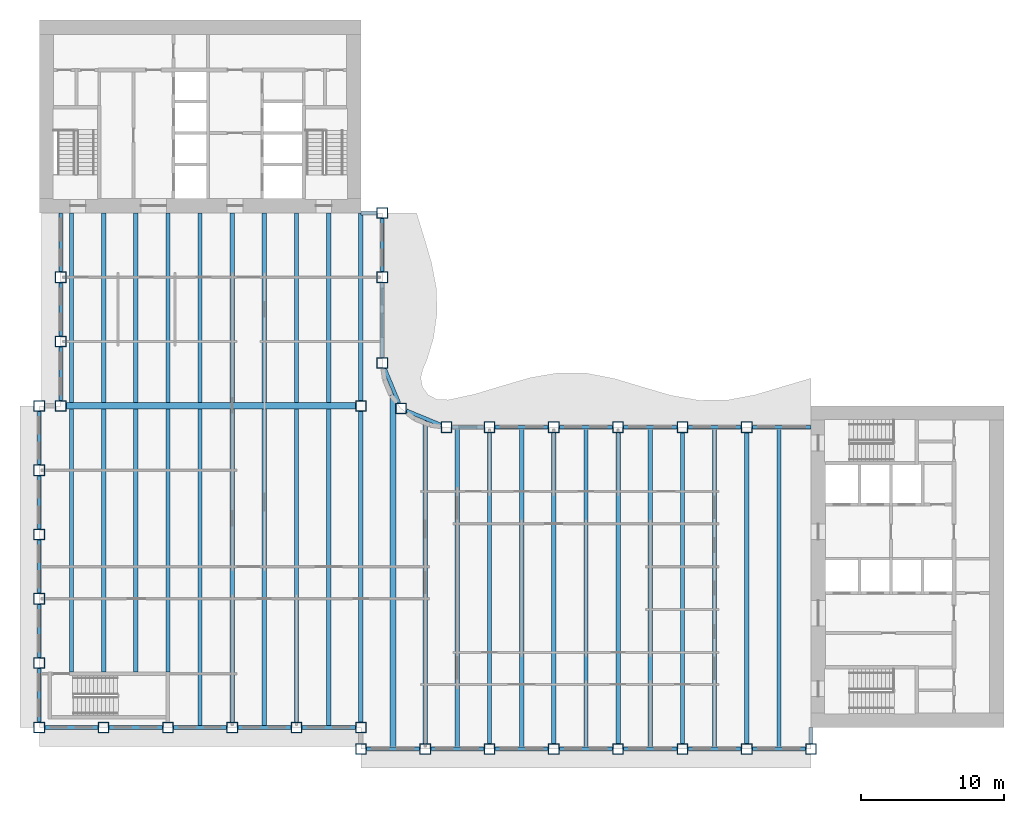
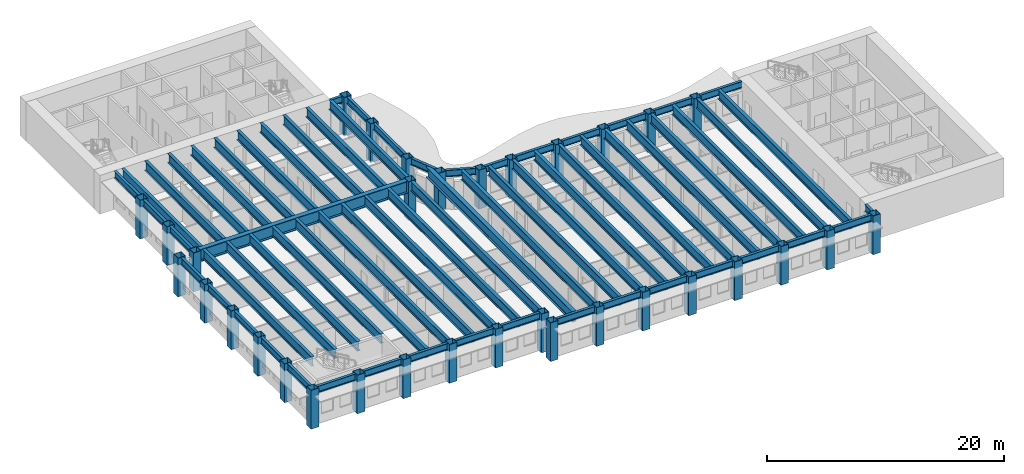
# One storey, part 1 of 16: 66 beams, 33 columns.
"""IFC4 building model written with IfcOpenShell, lengths in metres."""

from ifc_helpers import new_model, si_unit, direction, frame, origin, origin_2d, place, context, subcontext, project, spatial, hollow_rectangle, i_section, extrude, material, material_profile, profile_set, type_object, element, save


model = new_model("IFC4")

# Units and contexts
model_context = context("Model", 3, precision=1e-05, world=origin(), true_north=direction((0.0, 1.0)))
body_context = subcontext(model_context, "Body", "Model", "MODEL_VIEW")
ifc_project = project(units=[si_unit("LENGTHUNIT", "METRE"), si_unit("AREAUNIT", "SQUARE_METRE"), si_unit("VOLUMEUNIT", "CUBIC_METRE"), si_unit("PLANEANGLEUNIT", "RADIAN"), si_unit("MASSUNIT", "GRAM", prefix="KILO")], contexts=[model_context])

# Site, building, storey
site_placement = place(None, origin())
site = spatial("IfcSite", under=ifc_project, at=site_placement, CompositionType="ELEMENT")
building_placement = place(site_placement, origin())
building = spatial("IfcBuilding", under=site, at=building_placement, Name="Sennacour Bend Tower", CompositionType="ELEMENT")
storey_placement = place(building_placement, frame((0.0, 0.0, 227.0)))
storey = spatial("IfcBuildingStorey", under=building, at=storey_placement, Name="L52", CompositionType="ELEMENT", Elevation=227.0)

# Columns
ifc_material_1 = material(Name="Steel ASTM A572 Grade 50", Category="steel")
ifc_material_profile_1 = material_profile(ifc_material_1, hollow_rectangle(XDim=0.75, YDim=0.75, WallThickness=0.035888671875, at=origin_2d()), Name="Steel ASTM A572 Grade 50", Category="steel")
ifc_profile_set_1 = profile_set([ifc_material_profile_1], Name="Steel ASTM A572 Grade 50")
column_type = type_object("IfcColumnType", Name="Box column 750", PredefinedType="COLUMN", material=ifc_profile_set_1)
for number, where, z_axis, x_axis, name in (
    (1, (0.0, 0.0, -0.14990234375), (0.0, 0.0, 1.0), (1.0, 0.0, 0.0), "Perimeter column C4 L52-001"),
    (2, (0.0, 4.5, -0.14990234375), (0.0, 0.0, 1.0), (1.0, 0.0, 0.0), "Perimeter column C4 L52-002"),
    (3, (0.0, 9.0, -0.14990234375), (0.0, 0.0, 1.0), (1.0, 0.0, 0.0), "Perimeter column C4 L52-003"),
    (4, (0.0, 13.5, -0.14990234375), (0.0, 0.0, 1.0), (1.0, 0.0, 0.0), "Perimeter column C4 L52-004"),
    (5, (0.0, 18.0, -0.14990234375), (0.0, 0.0, 1.0), (1.0, 0.0, 0.0), "Perimeter column C4 L52-005"),
    (6, (0.0, 22.5, -0.14990234375), (0.0, 0.0, 1.0), (1.0, 0.0, 0.0), "Perimeter column C4 L52-006"),
    (7, (1.5, 22.5, -0.14990234375), (0.0, 0.0, 1.0), (1.0, 0.0, 0.0), "Perimeter column C4 L52-007"),
    (8, (1.5, 27.0, -0.14990234375), (0.0, 0.0, 1.0), (1.0, 0.0, 0.0), "Perimeter column C4 L52-008"),
    (9, (1.5, 31.5, -0.14990234375), (0.0, 0.0, 1.0), (1.0, 0.0, 0.0), "Perimeter column C4 L52-009"),
    (10, (4.5, 0.0, -0.14990234375), (0.0, 0.0, 1.0), (1.0, 0.0, 0.0), "Perimeter column C4 L52-010"),
    (11, (9.0, 0.0, -0.14990234375), (0.0, 0.0, 1.0), (1.0, 0.0, 0.0), "Perimeter column C4 L52-011"),
    (12, (13.5, 0.0, -0.14990234375), (0.0, 0.0, 1.0), (1.0, 0.0, 0.0), "Perimeter column C4 L52-012"),
    (13, (18.0, 0.0, -0.14990234375), (0.0, 0.0, 1.0), (1.0, 0.0, 0.0), "Perimeter column C4 L52-013"),
    (14, (22.5, -1.5, -0.14990234375), (0.0, 0.0, 1.0), (1.0, 0.0, 0.0), "Perimeter column C4 L52-014"),
    (15, (22.5, 0.0, -0.14990234375), (0.0, 0.0, 1.0), (1.0, 0.0, 0.0), "Perimeter column C4 L52-015"),
    (16, (22.5, 22.5, -0.14990234375), (0.0, 0.0, 1.0), (1.0, 0.0, 0.0), "Knuckle column C4 L52-016"),
    (17, (24.0, 25.5, -0.14990234375), (0.0, 0.0, 1.0), (1.0, 0.0, 0.0), "Perimeter column C4 L52-017"),
    (18, (24.0, 31.5, -0.14990234375), (0.0, 0.0, 1.0), (1.0, 0.0, 0.0), "Perimeter column C4 L52-018"),
    (19, (24.0, 36.0, -0.14990234375), (0.0, 0.0, 1.0), (1.0, 0.0, 0.0), "Perimeter column C4 L52-019"),
    (20, (25.318115234375, 22.318115234375, -0.14990234375), (0.0, 0.0, 1.0), (1.0, 0.0, 0.0), "Perimeter column C4 L52-020"),
    (21, (27.0, -1.5, -0.14990234375), (0.0, 0.0, 1.0), (1.0, 0.0, 0.0), "Perimeter column C4 L52-021"),
    (22, (28.5, 21.0, -0.14990234375), (0.0, 0.0, 1.0), (1.0, 0.0, 0.0), "Perimeter column C4 L52-022"),
    (23, (31.5, -1.5, -0.14990234375), (0.0, 0.0, 1.0), (1.0, 0.0, 0.0), "Perimeter column C4 L52-023"),
    (24, (31.5, 21.0, -0.14990234375), (0.0, 0.0, 1.0), (1.0, 0.0, 0.0), "Perimeter column C4 L52-024"),
    (25, (36.0, -1.5, -0.14990234375), (0.0, 0.0, 1.0), (1.0, 0.0, 0.0), "Perimeter column C4 L52-025"),
    (26, (36.0, 21.0, -0.14990234375), (0.0, 0.0, 1.0), (1.0, 0.0, 0.0), "Perimeter column C4 L52-026"),
    (27, (40.5, -1.5, -0.14990234375), (0.0, 0.0, 1.0), (1.0, 0.0, 0.0), "Perimeter column C4 L52-027"),
    (28, (40.5, 21.0, -0.14990234375), (0.0, 0.0, 1.0), (1.0, 0.0, 0.0), "Perimeter column C4 L52-028"),
    (29, (45.0, -1.5, -0.14990234375), (0.0, 0.0, 1.0), (1.0, 0.0, 0.0), "Perimeter column C4 L52-029"),
    (30, (45.0, 21.0, -0.14990234375), (0.0, 0.0, 1.0), (1.0, 0.0, 0.0), "Perimeter column C4 L52-030"),
    (31, (49.5, -1.5, -0.14990234375), (0.0, 0.0, 1.0), (1.0, 0.0, 0.0), "Perimeter column C4 L52-031"),
    (32, (49.5, 21.0, -0.14990234375), (0.0, 0.0, 1.0), (1.0, 0.0, 0.0), "Perimeter column C4 L52-032"),
    (33, (54.0, -1.5, -0.14990234375), (0.0, 0.0, 1.0), (1.0, 0.0, 0.0), "Perimeter column C4 L52-033"),
):
    element("IfcColumn", number, at=place(storey_placement, frame(where, z_axis=z_axis, x_axis=x_axis)), inside=storey, type_object=column_type, Name=name, PredefinedType="COLUMN", context=body_context, shape_type="SweptSolid", body=[
        extrude(hollow_rectangle(XDim=0.75, YDim=0.75, WallThickness=0.035888671875, at=origin_2d()), origin(), (0.0, 0.0, 1.0), 4.0),
    ])

# Beams
ifc_material_2 = material(Name="Steel ASTM A992 Grade 50", Category="steel")
ifc_material_profile_2 = material_profile(ifc_material_2, i_section(OverallWidth=0.300048828125, OverallDepth=0.97998046875, WebThickness=0.0166015625, FlangeThickness=0.026123046875, FilletRadius=0.02978515625, at=origin_2d()), Name="Steel ASTM A992 Grade 50", Category="steel")
ifc_profile_set_2 = profile_set([ifc_material_profile_2], Name="Steel ASTM A992 Grade 50")
beam_type_1 = type_object("IfcBeamType", Name="Floor beam W1000X249", PredefinedType="BEAM", material=ifc_profile_set_2)
beam_1_placement = place(storey_placement, frame((2.25, 3.875, 3.360107421875), z_axis=(0.0, 1.0, 0.0), x_axis=(-1.0, 0.0, 0.0)))
element("IfcBeam", 34, at=beam_1_placement, inside=storey, type_object=beam_type_1, Name="Floor beam FBM2 L53-001", PredefinedType="BEAM", context=body_context, shape_type="SweptSolid", body=[
    extrude(i_section(OverallWidth=0.300048828125, OverallDepth=0.97998046875, WebThickness=0.0166015625, FlangeThickness=0.026123046875, FilletRadius=0.02978515625, at=origin_2d()), origin(), (0.0, 0.0, 1.0), 18.39990234375),
])
beam_2_placement = place(storey_placement, frame((2.25, 22.72509765625, 3.360107421875), z_axis=(0.0, 1.0, 0.0), x_axis=(-1.0, 0.0, 0.0)))
element("IfcBeam", 35, at=beam_2_placement, inside=storey, type_object=beam_type_1, Name="Floor beam FBM2 L53-002", PredefinedType="BEAM", context=body_context, shape_type="SweptSolid", body=[
    extrude(i_section(OverallWidth=0.300048828125, OverallDepth=0.97998046875, WebThickness=0.0166015625, FlangeThickness=0.026123046875, FilletRadius=0.02978515625, at=origin_2d()), origin(), (0.0, 0.0, 1.0), 13.27490234375),
])
beam_3_placement = place(storey_placement, frame((4.5, 3.875, 3.360107421875), z_axis=(0.0, 1.0, 0.0), x_axis=(-1.0, 0.0, 0.0)))
element("IfcBeam", 36, at=beam_3_placement, inside=storey, type_object=beam_type_1, Name="Floor beam FBM2 L53-003", PredefinedType="BEAM", context=body_context, shape_type="SweptSolid", body=[
    extrude(i_section(OverallWidth=0.300048828125, OverallDepth=0.97998046875, WebThickness=0.0166015625, FlangeThickness=0.026123046875, FilletRadius=0.02978515625, at=origin_2d()), origin(), (0.0, 0.0, 1.0), 18.39990234375),
])
beam_4_placement = place(storey_placement, frame((4.5, 22.72509765625, 3.360107421875), z_axis=(0.0, 1.0, 0.0), x_axis=(-1.0, 0.0, 0.0)))
element("IfcBeam", 37, at=beam_4_placement, inside=storey, type_object=beam_type_1, Name="Floor beam FBM2 L53-004", PredefinedType="BEAM", context=body_context, shape_type="SweptSolid", body=[
    extrude(i_section(OverallWidth=0.300048828125, OverallDepth=0.97998046875, WebThickness=0.0166015625, FlangeThickness=0.026123046875, FilletRadius=0.02978515625, at=origin_2d()), origin(), (0.0, 0.0, 1.0), 13.27490234375),
])
beam_5_placement = place(storey_placement, frame((6.75, 3.875, 3.360107421875), z_axis=(0.0, 1.0, 0.0), x_axis=(-1.0, 0.0, 0.0)))
element("IfcBeam", 38, at=beam_5_placement, inside=storey, type_object=beam_type_1, Name="Floor beam FBM2 L53-005", PredefinedType="BEAM", context=body_context, shape_type="SweptSolid", body=[
    extrude(i_section(OverallWidth=0.300048828125, OverallDepth=0.97998046875, WebThickness=0.0166015625, FlangeThickness=0.026123046875, FilletRadius=0.02978515625, at=origin_2d()), origin(), (0.0, 0.0, 1.0), 18.39990234375),
])
beam_6_placement = place(storey_placement, frame((6.75, 22.72509765625, 3.360107421875), z_axis=(0.0, 1.0, 0.0), x_axis=(-1.0, 0.0, 0.0)))
element("IfcBeam", 39, at=beam_6_placement, inside=storey, type_object=beam_type_1, Name="Floor beam FBM2 L53-006", PredefinedType="BEAM", context=body_context, shape_type="SweptSolid", body=[
    extrude(i_section(OverallWidth=0.300048828125, OverallDepth=0.97998046875, WebThickness=0.0166015625, FlangeThickness=0.026123046875, FilletRadius=0.02978515625, at=origin_2d()), origin(), (0.0, 0.0, 1.0), 13.27490234375),
])
beam_7_placement = place(storey_placement, frame((9.0, 3.875, 3.360107421875), z_axis=(0.0, 1.0, 0.0), x_axis=(-1.0, 0.0, 0.0)))
element("IfcBeam", 40, at=beam_7_placement, inside=storey, type_object=beam_type_1, Name="Floor beam FBM2 L53-007", PredefinedType="BEAM", context=body_context, shape_type="SweptSolid", body=[
    extrude(i_section(OverallWidth=0.300048828125, OverallDepth=0.97998046875, WebThickness=0.0166015625, FlangeThickness=0.026123046875, FilletRadius=0.02978515625, at=origin_2d()), origin(), (0.0, 0.0, 1.0), 18.39990234375),
])
beam_8_placement = place(storey_placement, frame((9.0, 22.72509765625, 3.360107421875), z_axis=(0.0, 1.0, 0.0), x_axis=(-1.0, 0.0, 0.0)))
element("IfcBeam", 41, at=beam_8_placement, inside=storey, type_object=beam_type_1, Name="Floor beam FBM2 L53-008", PredefinedType="BEAM", context=body_context, shape_type="SweptSolid", body=[
    extrude(i_section(OverallWidth=0.300048828125, OverallDepth=0.97998046875, WebThickness=0.0166015625, FlangeThickness=0.026123046875, FilletRadius=0.02978515625, at=origin_2d()), origin(), (0.0, 0.0, 1.0), 13.27490234375),
])
beam_9_placement = place(storey_placement, frame((11.25, 0.12841796875, 3.360107421875), z_axis=(0.0, 1.0, 0.0), x_axis=(-1.0, 0.0, 0.0)))
element("IfcBeam", 42, at=beam_9_placement, inside=storey, type_object=beam_type_1, Name="Floor beam FBM2 L53-009", PredefinedType="BEAM", context=body_context, shape_type="SweptSolid", body=[
    extrude(i_section(OverallWidth=0.300048828125, OverallDepth=0.97998046875, WebThickness=0.0166015625, FlangeThickness=0.026123046875, FilletRadius=0.02978515625, at=origin_2d()), origin(), (0.0, 0.0, 1.0), 22.146484375),
])
beam_10_placement = place(storey_placement, frame((11.25, 22.72509765625, 3.360107421875), z_axis=(0.0, 1.0, 0.0), x_axis=(-1.0, 0.0, 0.0)))
element("IfcBeam", 43, at=beam_10_placement, inside=storey, type_object=beam_type_1, Name="Floor beam FBM2 L53-010", PredefinedType="BEAM", context=body_context, shape_type="SweptSolid", body=[
    extrude(i_section(OverallWidth=0.300048828125, OverallDepth=0.97998046875, WebThickness=0.0166015625, FlangeThickness=0.026123046875, FilletRadius=0.02978515625, at=origin_2d()), origin(), (0.0, 0.0, 1.0), 13.27490234375),
])
beam_11_placement = place(storey_placement, frame((13.5, 0.375, 3.360107421875), z_axis=(0.0, 1.0, 0.0), x_axis=(-1.0, 0.0, 0.0)))
element("IfcBeam", 44, at=beam_11_placement, inside=storey, type_object=beam_type_1, Name="Floor beam FBM2 L53-011", PredefinedType="BEAM", context=body_context, shape_type="SweptSolid", body=[
    extrude(i_section(OverallWidth=0.300048828125, OverallDepth=0.97998046875, WebThickness=0.0166015625, FlangeThickness=0.026123046875, FilletRadius=0.02978515625, at=origin_2d()), origin(), (0.0, 0.0, 1.0), 21.89990234375),
])
beam_12_placement = place(storey_placement, frame((13.5, 22.72509765625, 3.360107421875), z_axis=(0.0, 1.0, 0.0), x_axis=(-1.0, 0.0, 0.0)))
element("IfcBeam", 45, at=beam_12_placement, inside=storey, type_object=beam_type_1, Name="Floor beam FBM2 L53-012", PredefinedType="BEAM", context=body_context, shape_type="SweptSolid", body=[
    extrude(i_section(OverallWidth=0.300048828125, OverallDepth=0.97998046875, WebThickness=0.0166015625, FlangeThickness=0.026123046875, FilletRadius=0.02978515625, at=origin_2d()), origin(), (0.0, 0.0, 1.0), 13.27490234375),
])
beam_13_placement = place(storey_placement, frame((15.75, 0.12841796875, 3.360107421875), z_axis=(0.0, 1.0, 0.0), x_axis=(-1.0, 0.0, 0.0)))
element("IfcBeam", 46, at=beam_13_placement, inside=storey, type_object=beam_type_1, Name="Floor beam FBM2 L53-013", PredefinedType="BEAM", context=body_context, shape_type="SweptSolid", body=[
    extrude(i_section(OverallWidth=0.300048828125, OverallDepth=0.97998046875, WebThickness=0.0166015625, FlangeThickness=0.026123046875, FilletRadius=0.02978515625, at=origin_2d()), origin(), (0.0, 0.0, 1.0), 22.146484375),
])
beam_14_placement = place(storey_placement, frame((15.75, 22.72509765625, 3.360107421875), z_axis=(0.0, 1.0, 0.0), x_axis=(-1.0, 0.0, 0.0)))
element("IfcBeam", 47, at=beam_14_placement, inside=storey, type_object=beam_type_1, Name="Floor beam FBM2 L53-014", PredefinedType="BEAM", context=body_context, shape_type="SweptSolid", body=[
    extrude(i_section(OverallWidth=0.300048828125, OverallDepth=0.97998046875, WebThickness=0.0166015625, FlangeThickness=0.026123046875, FilletRadius=0.02978515625, at=origin_2d()), origin(), (0.0, 0.0, 1.0), 13.27490234375),
])
beam_15_placement = place(storey_placement, frame((18.0, 0.375, 3.360107421875), z_axis=(0.0, 1.0, 0.0), x_axis=(-1.0, 0.0, 0.0)))
element("IfcBeam", 48, at=beam_15_placement, inside=storey, type_object=beam_type_1, Name="Floor beam FBM2 L53-015", PredefinedType="BEAM", context=body_context, shape_type="SweptSolid", body=[
    extrude(i_section(OverallWidth=0.300048828125, OverallDepth=0.97998046875, WebThickness=0.0166015625, FlangeThickness=0.026123046875, FilletRadius=0.02978515625, at=origin_2d()), origin(), (0.0, 0.0, 1.0), 21.89990234375),
])
beam_16_placement = place(storey_placement, frame((18.0, 22.72509765625, 3.360107421875), z_axis=(0.0, 1.0, 0.0), x_axis=(-1.0, 0.0, 0.0)))
element("IfcBeam", 49, at=beam_16_placement, inside=storey, type_object=beam_type_1, Name="Floor beam FBM2 L53-016", PredefinedType="BEAM", context=body_context, shape_type="SweptSolid", body=[
    extrude(i_section(OverallWidth=0.300048828125, OverallDepth=0.97998046875, WebThickness=0.0166015625, FlangeThickness=0.026123046875, FilletRadius=0.02978515625, at=origin_2d()), origin(), (0.0, 0.0, 1.0), 13.27490234375),
])
beam_17_placement = place(storey_placement, frame((20.25, 0.12841796875, 3.360107421875), z_axis=(0.0, 1.0, 0.0), x_axis=(-1.0, 0.0, 0.0)))
element("IfcBeam", 50, at=beam_17_placement, inside=storey, type_object=beam_type_1, Name="Floor beam FBM2 L53-017", PredefinedType="BEAM", context=body_context, shape_type="SweptSolid", body=[
    extrude(i_section(OverallWidth=0.300048828125, OverallDepth=0.97998046875, WebThickness=0.0166015625, FlangeThickness=0.026123046875, FilletRadius=0.02978515625, at=origin_2d()), origin(), (0.0, 0.0, 1.0), 22.146484375),
])
beam_18_placement = place(storey_placement, frame((20.25, 22.72509765625, 3.360107421875), z_axis=(0.0, 1.0, 0.0), x_axis=(-1.0, 0.0, 0.0)))
element("IfcBeam", 51, at=beam_18_placement, inside=storey, type_object=beam_type_1, Name="Floor beam FBM2 L53-018", PredefinedType="BEAM", context=body_context, shape_type="SweptSolid", body=[
    extrude(i_section(OverallWidth=0.300048828125, OverallDepth=0.97998046875, WebThickness=0.0166015625, FlangeThickness=0.026123046875, FilletRadius=0.02978515625, at=origin_2d()), origin(), (0.0, 0.0, 1.0), 13.27490234375),
])
beam_19_placement = place(storey_placement, frame((22.5, 0.375, 3.360107421875), z_axis=(0.0, 1.0, 0.0), x_axis=(-1.0, 0.0, 0.0)))
element("IfcBeam", 52, at=beam_19_placement, inside=storey, type_object=beam_type_1, Name="Floor beam FBM2 L53-019", PredefinedType="BEAM", context=body_context, shape_type="SweptSolid", body=[
    extrude(i_section(OverallWidth=0.300048828125, OverallDepth=0.97998046875, WebThickness=0.0166015625, FlangeThickness=0.026123046875, FilletRadius=0.02978515625, at=origin_2d()), origin(), (0.0, 0.0, 1.0), 21.75),
])
beam_20_placement = place(storey_placement, frame((22.5, 22.875, 3.360107421875), z_axis=(0.0, 1.0, 0.0), x_axis=(-1.0, 0.0, 0.0)))
element("IfcBeam", 53, at=beam_20_placement, inside=storey, type_object=beam_type_1, Name="Floor beam FBM2 L53-020", PredefinedType="BEAM", context=body_context, shape_type="SweptSolid", body=[
    extrude(i_section(OverallWidth=0.300048828125, OverallDepth=0.97998046875, WebThickness=0.0166015625, FlangeThickness=0.026123046875, FilletRadius=0.02978515625, at=origin_2d()), origin(), (0.0, 0.0, 1.0), 13.125),
])
beam_21_placement = place(storey_placement, frame((27.0, -1.125, 3.360107421875), z_axis=(0.0, 1.0, 0.0), x_axis=(-1.0, 0.0, 0.0)))
element("IfcBeam", 54, at=beam_21_placement, inside=storey, type_object=beam_type_1, Name="Floor beam FBM2 L53-022", PredefinedType="BEAM", context=body_context, shape_type="SweptSolid", body=[
    extrude(i_section(OverallWidth=0.300048828125, OverallDepth=0.97998046875, WebThickness=0.0166015625, FlangeThickness=0.026123046875, FilletRadius=0.02978515625, at=origin_2d()), origin(), (0.0, 0.0, 1.0), 22.607177734375),
])
beam_22_placement = place(storey_placement, frame((29.25, -1.37158203125, 3.360107421875), z_axis=(0.0, 1.0, 0.0), x_axis=(-1.0, 0.0, 0.0)))
element("IfcBeam", 55, at=beam_22_placement, inside=storey, type_object=beam_type_1, Name="Floor beam FBM2 L53-023", PredefinedType="BEAM", context=body_context, shape_type="SweptSolid", body=[
    extrude(i_section(OverallWidth=0.300048828125, OverallDepth=0.97998046875, WebThickness=0.0166015625, FlangeThickness=0.026123046875, FilletRadius=0.02978515625, at=origin_2d()), origin(), (0.0, 0.0, 1.0), 22.2431640625),
])
beam_23_placement = place(storey_placement, frame((31.5, -1.125, 3.360107421875), z_axis=(0.0, 1.0, 0.0), x_axis=(-1.0, 0.0, 0.0)))
element("IfcBeam", 56, at=beam_23_placement, inside=storey, type_object=beam_type_1, Name="Floor beam FBM2 L53-024", PredefinedType="BEAM", context=body_context, shape_type="SweptSolid", body=[
    extrude(i_section(OverallWidth=0.300048828125, OverallDepth=0.97998046875, WebThickness=0.0166015625, FlangeThickness=0.026123046875, FilletRadius=0.02978515625, at=origin_2d()), origin(), (0.0, 0.0, 1.0), 21.75),
])
beam_24_placement = place(storey_placement, frame((33.75, -1.37158203125, 3.360107421875), z_axis=(0.0, 1.0, 0.0), x_axis=(-1.0, 0.0, 0.0)))
element("IfcBeam", 57, at=beam_24_placement, inside=storey, type_object=beam_type_1, Name="Floor beam FBM2 L53-025", PredefinedType="BEAM", context=body_context, shape_type="SweptSolid", body=[
    extrude(i_section(OverallWidth=0.300048828125, OverallDepth=0.97998046875, WebThickness=0.0166015625, FlangeThickness=0.026123046875, FilletRadius=0.02978515625, at=origin_2d()), origin(), (0.0, 0.0, 1.0), 22.2431640625),
])
beam_25_placement = place(storey_placement, frame((36.0, -1.125, 3.360107421875), z_axis=(0.0, 1.0, 0.0), x_axis=(-1.0, 0.0, 0.0)))
element("IfcBeam", 58, at=beam_25_placement, inside=storey, type_object=beam_type_1, Name="Floor beam FBM2 L53-026", PredefinedType="BEAM", context=body_context, shape_type="SweptSolid", body=[
    extrude(i_section(OverallWidth=0.300048828125, OverallDepth=0.97998046875, WebThickness=0.0166015625, FlangeThickness=0.026123046875, FilletRadius=0.02978515625, at=origin_2d()), origin(), (0.0, 0.0, 1.0), 21.75),
])
beam_26_placement = place(storey_placement, frame((38.25, -1.37158203125, 3.360107421875), z_axis=(0.0, 1.0, 0.0), x_axis=(-1.0, 0.0, 0.0)))
element("IfcBeam", 59, at=beam_26_placement, inside=storey, type_object=beam_type_1, Name="Floor beam FBM2 L53-027", PredefinedType="BEAM", context=body_context, shape_type="SweptSolid", body=[
    extrude(i_section(OverallWidth=0.300048828125, OverallDepth=0.97998046875, WebThickness=0.0166015625, FlangeThickness=0.026123046875, FilletRadius=0.02978515625, at=origin_2d()), origin(), (0.0, 0.0, 1.0), 22.2431640625),
])
beam_27_placement = place(storey_placement, frame((40.5, -1.125, 3.360107421875), z_axis=(0.0, 1.0, 0.0), x_axis=(-1.0, 0.0, 0.0)))
element("IfcBeam", 60, at=beam_27_placement, inside=storey, type_object=beam_type_1, Name="Floor beam FBM2 L53-028", PredefinedType="BEAM", context=body_context, shape_type="SweptSolid", body=[
    extrude(i_section(OverallWidth=0.300048828125, OverallDepth=0.97998046875, WebThickness=0.0166015625, FlangeThickness=0.026123046875, FilletRadius=0.02978515625, at=origin_2d()), origin(), (0.0, 0.0, 1.0), 21.75),
])
beam_28_placement = place(storey_placement, frame((42.75, -1.37158203125, 3.360107421875), z_axis=(0.0, 1.0, 0.0), x_axis=(-1.0, 0.0, 0.0)))
element("IfcBeam", 61, at=beam_28_placement, inside=storey, type_object=beam_type_1, Name="Floor beam FBM2 L53-029", PredefinedType="BEAM", context=body_context, shape_type="SweptSolid", body=[
    extrude(i_section(OverallWidth=0.300048828125, OverallDepth=0.97998046875, WebThickness=0.0166015625, FlangeThickness=0.026123046875, FilletRadius=0.02978515625, at=origin_2d()), origin(), (0.0, 0.0, 1.0), 22.2431640625),
])
beam_29_placement = place(storey_placement, frame((45.0, -1.125, 3.360107421875), z_axis=(0.0, 1.0, 0.0), x_axis=(-1.0, 0.0, 0.0)))
element("IfcBeam", 62, at=beam_29_placement, inside=storey, type_object=beam_type_1, Name="Floor beam FBM2 L53-030", PredefinedType="BEAM", context=body_context, shape_type="SweptSolid", body=[
    extrude(i_section(OverallWidth=0.300048828125, OverallDepth=0.97998046875, WebThickness=0.0166015625, FlangeThickness=0.026123046875, FilletRadius=0.02978515625, at=origin_2d()), origin(), (0.0, 0.0, 1.0), 21.75),
])
beam_30_placement = place(storey_placement, frame((47.25, -1.37158203125, 3.360107421875), z_axis=(0.0, 1.0, 0.0), x_axis=(-1.0, 0.0, 0.0)))
element("IfcBeam", 63, at=beam_30_placement, inside=storey, type_object=beam_type_1, Name="Floor beam FBM2 L53-031", PredefinedType="BEAM", context=body_context, shape_type="SweptSolid", body=[
    extrude(i_section(OverallWidth=0.300048828125, OverallDepth=0.97998046875, WebThickness=0.0166015625, FlangeThickness=0.026123046875, FilletRadius=0.02978515625, at=origin_2d()), origin(), (0.0, 0.0, 1.0), 22.2431640625),
])
beam_31_placement = place(storey_placement, frame((49.5, -1.125, 3.360107421875), z_axis=(0.0, 1.0, 0.0), x_axis=(-1.0, 0.0, 0.0)))
element("IfcBeam", 64, at=beam_31_placement, inside=storey, type_object=beam_type_1, Name="Floor beam FBM2 L53-032", PredefinedType="BEAM", context=body_context, shape_type="SweptSolid", body=[
    extrude(i_section(OverallWidth=0.300048828125, OverallDepth=0.97998046875, WebThickness=0.0166015625, FlangeThickness=0.026123046875, FilletRadius=0.02978515625, at=origin_2d()), origin(), (0.0, 0.0, 1.0), 21.75),
])
beam_32_placement = place(storey_placement, frame((51.75, -1.37158203125, 3.360107421875), z_axis=(0.0, 1.0, 0.0), x_axis=(-1.0, 0.0, 0.0)))
element("IfcBeam", 65, at=beam_32_placement, inside=storey, type_object=beam_type_1, Name="Floor beam FBM2 L53-033", PredefinedType="BEAM", context=body_context, shape_type="SweptSolid", body=[
    extrude(i_section(OverallWidth=0.300048828125, OverallDepth=0.97998046875, WebThickness=0.0166015625, FlangeThickness=0.026123046875, FilletRadius=0.02978515625, at=origin_2d()), origin(), (0.0, 0.0, 1.0), 22.2431640625),
])
ifc_material_profile_3 = material_profile(ifc_material_1, i_section(OverallWidth=0.449951171875, OverallDepth=1.25, WebThickness=0.028076171875, FlangeThickness=0.050048828125, at=origin_2d()), Name="Steel ASTM A572 Grade 50", Category="steel")
ifc_profile_set_3 = profile_set([ifc_material_profile_3], Name="Steel ASTM A572 Grade 50")
beam_type_2 = type_object("IfcBeamType", Name="Knuckle girder 1250", PredefinedType="USERDEFINED", material=ifc_profile_set_3)
beam_33_placement = place(storey_placement, frame((1.875, 22.5, 3.22509765625), z_axis=(1.0, 0.0, 0.0), x_axis=(0.0, 1.0, 0.0)))
element("IfcBeam", 66, at=beam_33_placement, inside=storey, type_object=beam_type_2, Name="Knuckle girder GK L53-001", ObjectType="KNUCKLE GIRDER", PredefinedType="USERDEFINED", context=body_context, shape_type="SweptSolid", body=[
    extrude(i_section(OverallWidth=0.449951171875, OverallDepth=1.25, WebThickness=0.028076171875, FlangeThickness=0.050048828125, at=origin_2d()), origin(), (0.0, 0.0, 1.0), 20.25),
])
ifc_material_profile_4 = material_profile(ifc_material_2, i_section(OverallWidth=0.40087890625, OverallDepth=1.090087890625, WebThickness=0.01806640625, FlangeThickness=0.031005859375, FilletRadius=0.02001953125, at=origin_2d()), Name="Steel ASTM A992 Grade 50", Category="steel")
ifc_profile_set_4 = profile_set([ifc_material_profile_4], Name="Steel ASTM A992 Grade 50")
beam_type_3 = type_object("IfcBeamType", Name="Notch floor beam W1100X343", PredefinedType="BEAM", material=ifc_profile_set_4)
beam_34_placement = place(storey_placement, frame((24.75, -1.37158203125, 3.304931640625), z_axis=(0.0, 1.0, 0.0), x_axis=(-1.0, 0.0, 0.0)))
element("IfcBeam", 67, at=beam_34_placement, inside=storey, type_object=beam_type_3, Name="Floor beam FBM4 L53-021", PredefinedType="BEAM", context=body_context, shape_type="SweptSolid", body=[
    extrude(i_section(OverallWidth=0.40087890625, OverallDepth=1.090087890625, WebThickness=0.01806640625, FlangeThickness=0.031005859375, FilletRadius=0.02001953125, at=origin_2d()), origin(), (0.0, 0.0, 1.0), 24.72509765625),
])
ifc_material_profile_5 = material_profile(ifc_material_2, i_section(OverallWidth=0.257080078125, OverallDepth=0.693115234375, WebThickness=0.014404296875, FlangeThickness=0.023681640625, FilletRadius=0.015380859375, at=origin_2d()), Name="Steel ASTM A992 Grade 50", Category="steel")
ifc_profile_set_5 = profile_set([ifc_material_profile_5], Name="Steel ASTM A992 Grade 50")
beam_type_4 = type_object("IfcBeamType", Name="Spandrel beam W690X170", PredefinedType="SPANDREL", material=ifc_profile_set_5)
for number, where, z_axis, x_axis, name in (
    (68, (22.125, 0.0, 3.50341796875), (-1.0, 0.0, 0.0), (0.0, -1.0, 0.0), "Spandrel beam SP5 L53-001"),
    (69, (17.625, 0.0, 3.50341796875), (-1.0, 0.0, 0.0), (0.0, -1.0, 0.0), "Spandrel beam SP5 L53-002"),
    (70, (13.125, 0.0, 3.50341796875), (-1.0, 0.0, 0.0), (0.0, -1.0, 0.0), "Spandrel beam SP5 L53-003"),
    (71, (8.625, 0.0, 3.50341796875), (-1.0, 0.0, 0.0), (0.0, -1.0, 0.0), "Spandrel beam SP5 L53-004"),
    (72, (4.125, 0.0, 3.50341796875), (-1.0, 0.0, 0.0), (0.0, -1.0, 0.0), "Spandrel beam SP5 L53-005"),
    (73, (0.0, 0.375, 3.50341796875), (0.0, 1.0, 0.0), (-1.0, 0.0, 0.0), "Spandrel beam SP5 L53-006"),
    (74, (0.0, 4.875, 3.50341796875), (0.0, 1.0, 0.0), (-1.0, 0.0, 0.0), "Spandrel beam SP5 L53-007"),
    (75, (0.0, 9.375, 3.50341796875), (0.0, 1.0, 0.0), (-1.0, 0.0, 0.0), "Spandrel beam SP5 L53-008"),
    (76, (0.0, 13.875, 3.50341796875), (0.0, 1.0, 0.0), (-1.0, 0.0, 0.0), "Spandrel beam SP5 L53-009"),
    (77, (0.0, 18.375, 3.50341796875), (0.0, 1.0, 0.0), (-1.0, 0.0, 0.0), "Spandrel beam SP5 L53-010"),
    (78, (1.5, 22.875, 3.50341796875), (0.0, 1.0, 0.0), (-1.0, 0.0, 0.0), "Spandrel beam SP5 L53-011"),
    (79, (1.5, 27.375, 3.50341796875), (0.0, 1.0, 0.0), (-1.0, 0.0, 0.0), "Spandrel beam SP5 L53-012"),
):
    element("IfcBeam", number, at=place(storey_placement, frame(where, z_axis=z_axis, x_axis=x_axis)), inside=storey, type_object=beam_type_4, Name=name, PredefinedType="SPANDREL", context=body_context, shape_type="SweptSolid", body=[
        extrude(i_section(OverallWidth=0.257080078125, OverallDepth=0.693115234375, WebThickness=0.014404296875, FlangeThickness=0.023681640625, FilletRadius=0.015380859375, at=origin_2d()), origin(), (0.0, 0.0, 1.0), 3.75),
    ])
beam_35_placement = place(storey_placement, frame((1.5, 31.875, 3.50341796875), z_axis=(0.0, 1.0, 0.0), x_axis=(-1.0, 0.0, 0.0)))
element("IfcBeam", 80, at=beam_35_placement, inside=storey, type_object=beam_type_4, Name="Spandrel beam SP5 L53-013", PredefinedType="SPANDREL", context=body_context, shape_type="SweptSolid", body=[
    extrude(i_section(OverallWidth=0.257080078125, OverallDepth=0.693115234375, WebThickness=0.014404296875, FlangeThickness=0.023681640625, FilletRadius=0.015380859375, at=origin_2d()), origin(), (0.0, 0.0, 1.0), 4.125),
])
beam_36_placement = place(storey_placement, frame((22.5, 36.0, 3.50341796875), z_axis=(1.0, 0.0, 0.0), x_axis=(0.0, 1.0, 0.0)))
element("IfcBeam", 81, at=beam_36_placement, inside=storey, type_object=beam_type_4, Name="Spandrel beam SP5 L53-014", PredefinedType="SPANDREL", context=body_context, shape_type="SweptSolid", body=[
    extrude(i_section(OverallWidth=0.257080078125, OverallDepth=0.693115234375, WebThickness=0.014404296875, FlangeThickness=0.023681640625, FilletRadius=0.015380859375, at=origin_2d()), origin(), (0.0, 0.0, 1.0), 1.125),
])
beam_37_placement = place(storey_placement, frame((24.0, 35.625, 3.50341796875), z_axis=(0.0, -1.0, 0.0), x_axis=(1.0, 0.0, 0.0)))
element("IfcBeam", 82, at=beam_37_placement, inside=storey, type_object=beam_type_4, Name="Spandrel beam SP5 L53-015", PredefinedType="SPANDREL", context=body_context, shape_type="SweptSolid", body=[
    extrude(i_section(OverallWidth=0.257080078125, OverallDepth=0.693115234375, WebThickness=0.014404296875, FlangeThickness=0.023681640625, FilletRadius=0.015380859375, at=origin_2d()), origin(), (0.0, 0.0, 1.0), 3.75),
])
beam_38_placement = place(storey_placement, frame((24.0, 31.125, 3.50341796875), z_axis=(0.0, -1.0, 0.0), x_axis=(1.0, 0.0, 0.0)))
element("IfcBeam", 83, at=beam_38_placement, inside=storey, type_object=beam_type_4, Name="Spandrel beam SP5 L53-016", PredefinedType="SPANDREL", context=body_context, shape_type="SweptSolid", body=[
    extrude(i_section(OverallWidth=0.257080078125, OverallDepth=0.693115234375, WebThickness=0.014404296875, FlangeThickness=0.023681640625, FilletRadius=0.015380859375, at=origin_2d()), origin(), (0.0, 0.0, 1.0), 5.25),
])
for number, where, z_axis, x_axis, name in (
    (84, (24.1552734375, 25.125, 3.50341796875), (0.382684913195, -0.92387891913, 0.0), (0.92387891913, 0.382684913195, 0.0), "Spandrel beam SP5 L53-017"),
    (85, (25.693115234375, 22.16259765625, 3.50341796875), (0.92387891913, -0.382684913195, 0.0), (0.382684913195, 0.92387891913, 0.0), "Spandrel beam SP5 L53-018"),
):
    element("IfcBeam", number, at=place(storey_placement, frame(where, z_axis=z_axis, x_axis=x_axis)), inside=storey, type_object=beam_type_4, Name=name, PredefinedType="SPANDREL", context=body_context, shape_type="SweptSolid", body=[
        extrude(i_section(OverallWidth=0.257080078125, OverallDepth=0.693115234375, WebThickness=0.014404296875, FlangeThickness=0.023681640625, FilletRadius=0.015380859375, at=origin_2d()), origin(), (0.0, 0.0, 1.0), 2.63232421875),
    ])
beam_39_placement = place(storey_placement, frame((28.875, 21.0, 3.50341796875), z_axis=(1.0, 0.0, 0.0), x_axis=(0.0, 1.0, 0.0)))
element("IfcBeam", 86, at=beam_39_placement, inside=storey, type_object=beam_type_4, Name="Spandrel beam SP5 L53-019", PredefinedType="SPANDREL", context=body_context, shape_type="SweptSolid", body=[
    extrude(i_section(OverallWidth=0.257080078125, OverallDepth=0.693115234375, WebThickness=0.014404296875, FlangeThickness=0.023681640625, FilletRadius=0.015380859375, at=origin_2d()), origin(), (0.0, 0.0, 1.0), 2.25),
])
for number, where, z_axis, x_axis, name in (
    (87, (31.875, 21.0, 3.50341796875), (1.0, 0.0, 0.0), (0.0, 1.0, 0.0), "Spandrel beam SP5 L53-020"),
    (88, (36.375, 21.0, 3.50341796875), (1.0, 0.0, 0.0), (0.0, 1.0, 0.0), "Spandrel beam SP5 L53-021"),
    (89, (40.875, 21.0, 3.50341796875), (1.0, 0.0, 0.0), (0.0, 1.0, 0.0), "Spandrel beam SP5 L53-022"),
    (90, (45.375, 21.0, 3.50341796875), (1.0, 0.0, 0.0), (0.0, 1.0, 0.0), "Spandrel beam SP5 L53-023"),
):
    element("IfcBeam", number, at=place(storey_placement, frame(where, z_axis=z_axis, x_axis=x_axis)), inside=storey, type_object=beam_type_4, Name=name, PredefinedType="SPANDREL", context=body_context, shape_type="SweptSolid", body=[
        extrude(i_section(OverallWidth=0.257080078125, OverallDepth=0.693115234375, WebThickness=0.014404296875, FlangeThickness=0.023681640625, FilletRadius=0.015380859375, at=origin_2d()), origin(), (0.0, 0.0, 1.0), 3.75),
    ])
beam_40_placement = place(storey_placement, frame((49.875, 21.0, 3.50341796875), z_axis=(1.0, 0.0, 0.0), x_axis=(0.0, 1.0, 0.0)))
element("IfcBeam", 91, at=beam_40_placement, inside=storey, type_object=beam_type_4, Name="Spandrel beam SP5 L53-024", PredefinedType="SPANDREL", context=body_context, shape_type="SweptSolid", body=[
    extrude(i_section(OverallWidth=0.257080078125, OverallDepth=0.693115234375, WebThickness=0.014404296875, FlangeThickness=0.023681640625, FilletRadius=0.015380859375, at=origin_2d()), origin(), (0.0, 0.0, 1.0), 4.125),
])
beam_41_placement = place(storey_placement, frame((54.0, 0.0, 3.50341796875), z_axis=(0.0, -1.0, 0.0), x_axis=(1.0, 0.0, 0.0)))
element("IfcBeam", 92, at=beam_41_placement, inside=storey, type_object=beam_type_4, Name="Spandrel beam SP5 L53-025", PredefinedType="SPANDREL", context=body_context, shape_type="SweptSolid", body=[
    extrude(i_section(OverallWidth=0.257080078125, OverallDepth=0.693115234375, WebThickness=0.014404296875, FlangeThickness=0.023681640625, FilletRadius=0.015380859375, at=origin_2d()), origin(), (0.0, 0.0, 1.0), 1.125),
])
for number, where, z_axis, x_axis, name in (
    (93, (53.625, -1.5, 3.50341796875), (-1.0, 0.0, 0.0), (0.0, -1.0, 0.0), "Spandrel beam SP5 L53-026"),
    (94, (49.125, -1.5, 3.50341796875), (-1.0, 0.0, 0.0), (0.0, -1.0, 0.0), "Spandrel beam SP5 L53-027"),
    (95, (44.625, -1.5, 3.50341796875), (-1.0, 0.0, 0.0), (0.0, -1.0, 0.0), "Spandrel beam SP5 L53-028"),
    (96, (40.125, -1.5, 3.50341796875), (-1.0, 0.0, 0.0), (0.0, -1.0, 0.0), "Spandrel beam SP5 L53-029"),
    (97, (35.625, -1.5, 3.50341796875), (-1.0, 0.0, 0.0), (0.0, -1.0, 0.0), "Spandrel beam SP5 L53-030"),
    (98, (31.125, -1.5, 3.50341796875), (-1.0, 0.0, 0.0), (0.0, -1.0, 0.0), "Spandrel beam SP5 L53-031"),
    (99, (26.625, -1.5, 3.50341796875), (-1.0, 0.0, 0.0), (0.0, -1.0, 0.0), "Spandrel beam SP5 L53-032"),
):
    element("IfcBeam", number, at=place(storey_placement, frame(where, z_axis=z_axis, x_axis=x_axis)), inside=storey, type_object=beam_type_4, Name=name, PredefinedType="SPANDREL", context=body_context, shape_type="SweptSolid", body=[
        extrude(i_section(OverallWidth=0.257080078125, OverallDepth=0.693115234375, WebThickness=0.014404296875, FlangeThickness=0.023681640625, FilletRadius=0.015380859375, at=origin_2d()), origin(), (0.0, 0.0, 1.0), 3.75),
    ])

save(model, "model.ifc")
